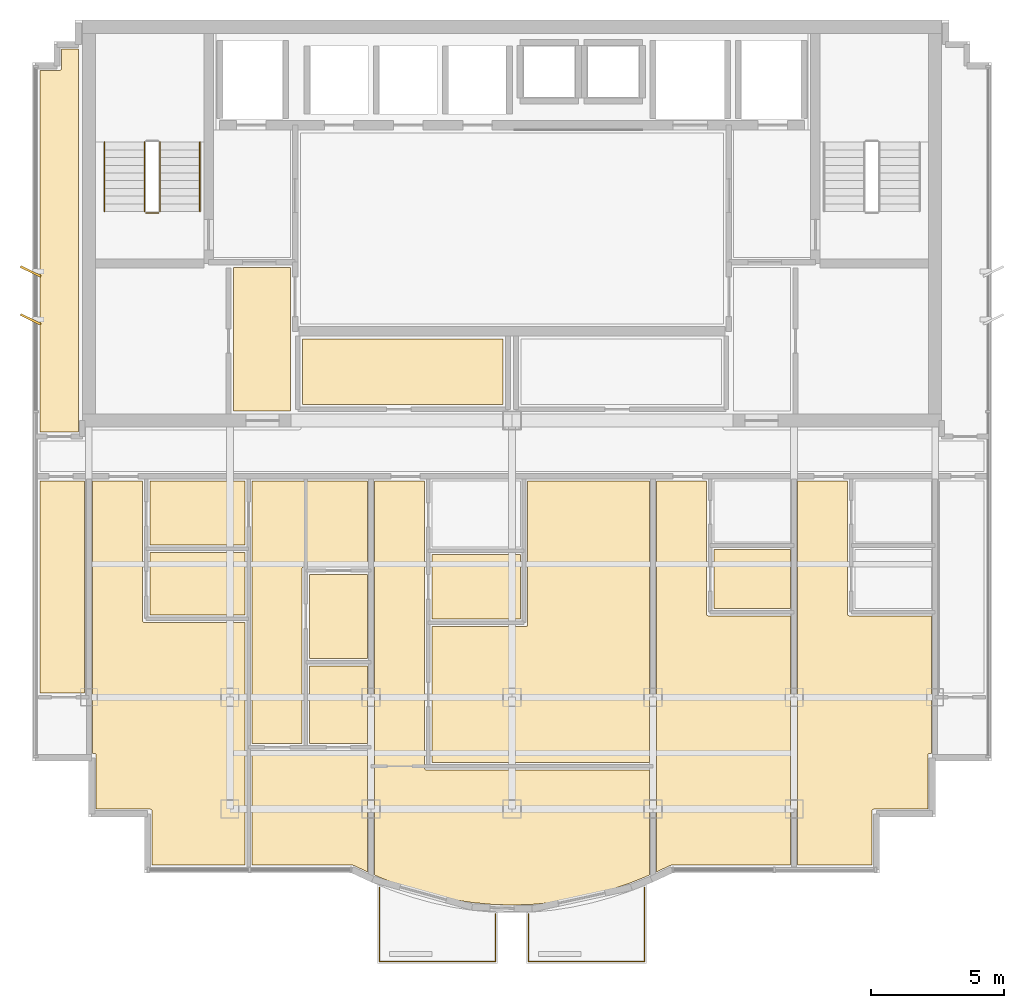
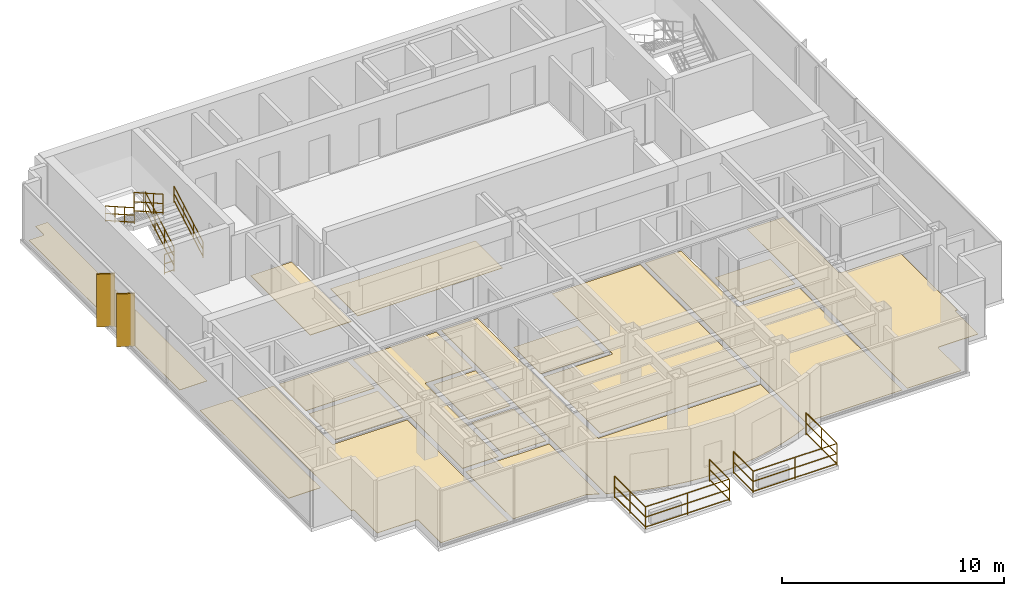
# One storey, part 9 of 10: 17 coverings, 7 railings, 2 shading devices.
"""IFC4 building model written with IfcOpenShell, lengths in metres."""

from ifc_helpers import new_model, si_unit, direction, frame, origin, origin_2d, place, context, subcontext, project, spatial, polyline, rectangle, circle, outline, extrude, source, transform, mapped, material, layer, layer_set, type_object, element, save


model = new_model("IFC4")

# Units and contexts
model_context = context("Model", 3, precision=1e-05, world=origin(), true_north=direction((0.0, 1.0)))
body_context = subcontext(model_context, "Body", "Model", "MODEL_VIEW")
ifc_project = project(units=[si_unit("LENGTHUNIT", "METRE"), si_unit("AREAUNIT", "SQUARE_METRE"), si_unit("VOLUMEUNIT", "CUBIC_METRE"), si_unit("PLANEANGLEUNIT", "RADIAN"), si_unit("MASSUNIT", "GRAM", prefix="KILO")], contexts=[model_context])

# Site, building, storey
site_placement = place(None, origin())
site = spatial("IfcSite", under=ifc_project, at=site_placement, CompositionType="ELEMENT")
building_placement = place(site_placement, origin())
building = spatial("IfcBuilding", under=site, at=building_placement, Name="Qianlan Lanfeng Residences", CompositionType="ELEMENT")
storey_placement = place(building_placement, frame((0.0, 0.0, 239.60009765625)))
storey = spatial("IfcBuildingStorey", under=building, at=storey_placement, Name="L66", CompositionType="ELEMENT", Elevation=239.60009765625)

# Coverings
ifc_material_1 = material(Name="Honed Taitung Granite Stone Flooring", Category="masonry")
ifc_layer_1 = layer(ifc_material_1, 0.030029296875)
ifc_layer_set_1 = layer_set([ifc_layer_1], Name="Honed Taitung Granite Stone Flooring")
covering_type_1 = type_object("IfcCoveringType", Name="FLR-STN-30", PredefinedType="FLOORING", material=ifc_layer_set_1)
covering_1_placement = place(storey_placement, origin())
element("IfcCovering", 1, at=covering_1_placement, inside=storey, type_object=covering_type_1, Name="L66 Lift Lobby Floor Finish", PredefinedType="FLOORING", context=body_context, shape_type="SweptSolid", body=[
    extrude(outline(polyline([(16.030029296875, 25.56005859375), (18.169921875, 25.56005859375), (18.169921875, 30.949951171875), (16.030029296875, 30.949951171875), (16.030029296875, 25.56005859375)])), origin(), (0.0, 0.0, 1.0), 0.02978515625),
])
ifc_material_2 = material(Name="Slip-Resistant Porcelain Tile Flooring")
ifc_layer_2 = layer(ifc_material_2, 0.02001953125)
ifc_layer_set_2 = layer_set([ifc_layer_2], Name="Slip-Resistant Porcelain Tile Flooring")
covering_type_2 = type_object("IfcCoveringType", Name="FLR-TIL-20", PredefinedType="FLOORING", material=ifc_layer_set_2)
covering_2_placement = place(storey_placement, origin())
element("IfcCovering", 2, at=covering_2_placement, inside=storey, type_object=covering_type_2, Name="L66 Kitchen Floor Finish", PredefinedType="FLOORING", context=body_context, shape_type="SweptSolid", body=[
    extrude(outline(polyline([(12.889892578125, 17.89306640625), (16.4599609375, 17.89306640625), (16.4599609375, 20.237060546875), (12.889892578125, 20.237060546875), (12.889892578125, 17.89306640625)])), origin(), (0.0, 0.0, 1.0), 0.02001953125),
])
covering_3_placement = place(storey_placement, origin())
element("IfcCovering", 3, at=covering_3_placement, inside=storey, type_object=covering_type_2, Name="L66 Bathroom Floor Finish", PredefinedType="FLOORING", context=body_context, shape_type="SweptSolid", body=[
    extrude(outline(polyline([(12.889892578125, 20.51708984375), (16.4599609375, 20.51708984375), (16.4599609375, 22.929931640625), (12.889892578125, 22.929931640625), (12.889892578125, 20.51708984375)])), origin(), (0.0, 0.0, 1.0), 0.02001953125),
])
covering_4_placement = place(storey_placement, origin())
element("IfcCovering", 4, at=covering_4_placement, inside=storey, type_object=covering_type_2, Name="L66 En-Suite Bathroom Floor Finish", PredefinedType="FLOORING", context=body_context, shape_type="SweptSolid", body=[
    extrude(outline(polyline([(18.889892578125, 13.06005859375), (21.070068359375, 13.06005859375), (21.070068359375, 15.97998046875), (18.889892578125, 15.97998046875), (18.889892578125, 13.06005859375)])), origin(), (0.0, 0.0, 1.0), 0.02001953125),
])
covering_5_placement = place(storey_placement, origin())
element("IfcCovering", 5, at=covering_5_placement, inside=storey, type_object=covering_type_2, Name="L66 Kitchen Floor Finish", PredefinedType="FLOORING", context=body_context, shape_type="SweptSolid", body=[
    extrude(outline(polyline([(23.489990234375, 17.739990234375), (26.81005859375, 17.739990234375), (26.81005859375, 20.159912109375), (23.489990234375, 20.159912109375), (23.489990234375, 17.739990234375)])), origin(), (0.0, 0.0, 1.0), 0.02001953125),
])
covering_6_placement = place(storey_placement, origin())
element("IfcCovering", 6, at=covering_6_placement, inside=storey, type_object=covering_type_2, Name="L66 Kitchen Floor Finish", PredefinedType="FLOORING", context=body_context, shape_type="SweptSolid", body=[
    extrude(outline(polyline([(34.090087890625, 18.139892578125), (36.9599609375, 18.139892578125), (36.9599609375, 20.360107421875), (34.090087890625, 20.360107421875), (34.090087890625, 18.139892578125)])), origin(), (0.0, 0.0, 1.0), 0.02001953125),
])
ifc_material_3 = material(Name="Engineered Smoked Oak Timber Flooring", Category="wood")
ifc_layer_3 = layer(ifc_material_3, 0.02197265625)
ifc_layer_set_3 = layer_set([ifc_layer_3], Name="Engineered Smoked Oak Timber Flooring")
covering_type_3 = type_object("IfcCoveringType", Name="FLR-TIM-22", PredefinedType="FLOORING", material=ifc_layer_set_3)
covering_7_placement = place(storey_placement, origin())
element("IfcCovering", 7, at=covering_7_placement, inside=storey, type_object=covering_type_3, Name="L66 Resident Reading Lounge Floor Finish", PredefinedType="FLOORING", context=body_context, shape_type="SweptSolid", body=[
    extrude(outline(polyline([(18.6298828125, 25.800048828125), (26.169921875, 25.800048828125), (26.169921875, 28.2548828125), (18.6298828125, 28.2548828125), (18.6298828125, 25.800048828125)])), origin(), (0.0, 0.0, 1.0), 0.02197265625),
])
covering_8_placement = place(storey_placement, origin())
element("IfcCovering", 8, at=covering_8_placement, inside=storey, type_object=covering_type_3, Name="L66 Living and Dining Room Floor Finish", PredefinedType="FLOORING", context=body_context, shape_type="SweptSolid", body=[
    extrude(outline(polyline([(16.469970703125, 8.489990234375), (16.469970703125, 17.613037109375), (12.679931640625, 17.613037109375), (12.673095703125, 17.613037109375), (12.666015625, 17.614013671875), (12.659912109375, 17.615966796875), (12.653076171875, 17.617919921875), (12.64697265625, 17.62109375), (12.64111328125, 17.625), (12.635986328125, 17.62890625), (12.631103515625, 17.634033203125), (12.6259765625, 17.638916015625), (12.6220703125, 17.64404296875), (12.617919921875, 17.64990234375), (12.614990234375, 17.656005859375), (12.613037109375, 17.6630859375), (12.611083984375, 17.6689453125), (12.610107421875, 17.676025390625), (12.610107421875, 17.68310546875), (12.610107421875, 22.929931640625), (10.72998046875, 22.929931640625), (10.72998046875, 12.68994140625), (10.800048828125, 12.68994140625), (10.806884765625, 12.68994140625), (10.81396484375, 12.68896484375), (10.820068359375, 12.68701171875), (10.826904296875, 12.68505859375), (10.8330078125, 12.681884765625), (10.839111328125, 12.677978515625), (10.843994140625, 12.674072265625), (10.84912109375, 12.6689453125), (10.85400390625, 12.6640625), (10.85791015625, 12.658935546875), (10.862060546875, 12.653076171875), (10.864990234375, 12.64697265625), (10.866943359375, 12.639892578125), (10.868896484375, 12.634033203125), (10.8701171875, 12.626953125), (10.8701171875, 12.6201171875), (10.8701171875, 10.590087890625), (12.89990234375, 10.590087890625), (12.906982421875, 10.590087890625), (12.9140625, 10.589111328125), (12.919921875, 10.5869140625), (12.927001953125, 10.5849609375), (12.93310546875, 10.58203125), (12.93896484375, 10.577880859375), (12.944091796875, 10.573974609375), (12.948974609375, 10.569091796875), (12.9541015625, 10.56396484375), (12.9580078125, 10.55908203125), (12.9619140625, 10.552978515625), (12.965087890625, 10.547119140625), (12.967041015625, 10.5400390625), (12.968994140625, 10.533935546875), (12.969970703125, 10.527099609375), (12.969970703125, 10.52001953125), (12.969970703125, 8.489990234375), (16.469970703125, 8.489990234375)])), origin(), (0.0, 0.0, 1.0), 0.02197265625),
])
covering_9_placement = place(storey_placement, origin())
element("IfcCovering", 9, at=covering_9_placement, inside=storey, type_object=covering_type_3, Name="L66 Private Study Floor Finish", PredefinedType="FLOORING", context=body_context, shape_type="SweptSolid", body=[
    extrude(outline(polyline([(18.889892578125, 16.260009765625), (21.070068359375, 16.260009765625), (21.070068359375, 19.419921875), (18.889892578125, 19.419921875), (18.889892578125, 16.260009765625)])), origin(), (0.0, 0.0, 1.0), 0.02197265625),
])
covering_10_placement = place(storey_placement, origin())
element("IfcCovering", 10, at=covering_10_placement, inside=storey, type_object=covering_type_3, Name="L66 Villa Family Sitting Room Floor Finish", PredefinedType="FLOORING", context=body_context, shape_type="SweptSolid", body=[
    extrude(outline(polyline([(16.72998046875, 13.06005859375), (18.610107421875, 13.06005859375), (18.610107421875, 19.6298828125), (18.610107421875, 19.636962890625), (18.611083984375, 19.64404296875), (18.613037109375, 19.64990234375), (18.614990234375, 19.656982421875), (18.617919921875, 19.6630859375), (18.6220703125, 19.6689453125), (18.6259765625, 19.674072265625), (18.631103515625, 19.678955078125), (18.635986328125, 19.68408203125), (18.64111328125, 19.68798828125), (18.64697265625, 19.69189453125), (18.653076171875, 19.695068359375), (18.659912109375, 19.697021484375), (18.666015625, 19.698974609375), (18.673095703125, 19.699951171875), (18.679931640625, 19.699951171875), (21.070068359375, 19.699951171875), (21.070068359375, 22.929931640625), (16.72998046875, 22.929931640625), (16.72998046875, 13.06005859375)])), origin(), (0.0, 0.0, 1.0), 0.02197265625),
])
covering_11_placement = place(storey_placement, origin())
element("IfcCovering", 11, at=covering_11_placement, inside=storey, type_object=covering_type_3, Name="L66 Master Bedroom Floor Finish", PredefinedType="FLOORING", context=body_context, shape_type="SweptSolid", body=[
    extrude(outline(polyline([(16.72998046875, 12.780029296875), (16.72998046875, 8.489990234375), (20.509033203125, 8.489990234375), (20.51611328125, 8.489990234375), (20.52392578125, 8.488037109375), (20.531005859375, 8.486083984375), (20.5380859375, 8.48291015625), (21.070068359375, 8.236083984375), (21.070068359375, 12.780029296875), (16.72998046875, 12.780029296875)])), origin(), (0.0, 0.0, 1.0), 0.02197265625),
])
covering_12_placement = place(storey_placement, origin())
element("IfcCovering", 12, at=covering_12_placement, inside=storey, type_object=covering_type_3, Name="L66 Studio Living Room Floor Finish", PredefinedType="FLOORING", context=body_context, shape_type="SweptSolid", body=[
    extrude(outline(polyline([(31.669921875, 8.114013671875), (31.669921875, 12.06298828125), (23.280029296875, 12.06298828125), (23.27294921875, 12.06298828125), (23.26611328125, 12.06396484375), (23.260009765625, 12.06591796875), (23.2529296875, 12.068115234375), (23.2470703125, 12.071044921875), (23.240966796875, 12.074951171875), (23.236083984375, 12.0791015625), (23.23095703125, 12.083984375), (23.22607421875, 12.089111328125), (23.221923828125, 12.093994140625), (23.218017578125, 12.10009765625), (23.215087890625, 12.10595703125), (23.212890625, 12.113037109375), (23.2109375, 12.118896484375), (23.2099609375, 12.1259765625), (23.2099609375, 12.133056640625), (23.2099609375, 22.929931640625), (21.330078125, 22.929931640625), (21.330078125, 8.114013671875), (21.3310546875, 8.114013671875), (22.071044921875, 7.81591796875), (22.81103515625, 7.56298828125), (23.550048828125, 7.35693359375), (24.2880859375, 7.196044921875), (25.02587890625, 7.08203125), (25.762939453125, 7.012939453125), (26.5, 6.989990234375), (27.237060546875, 7.012939453125), (27.97412109375, 7.08203125), (28.7119140625, 7.196044921875), (29.449951171875, 7.35693359375), (30.18896484375, 7.56298828125), (30.928955078125, 7.81591796875), (31.6689453125, 8.114013671875), (31.669921875, 8.114013671875)])), origin(), (0.0, 0.0, 1.0), 0.02197265625),
])
covering_13_placement = place(storey_placement, origin())
element("IfcCovering", 13, at=covering_13_placement, inside=storey, type_object=covering_type_3, Name="L66 Villa Family Sitting Room Floor Finish", PredefinedType="FLOORING", context=body_context, shape_type="SweptSolid", body=[
    extrude(outline(polyline([(23.489990234375, 12.343017578125), (31.669921875, 12.343017578125), (31.669921875, 22.929931640625), (27.090087890625, 22.929931640625), (27.090087890625, 17.530029296875), (27.090087890625, 17.52294921875), (27.089111328125, 17.51611328125), (27.0869140625, 17.510009765625), (27.0849609375, 17.5029296875), (27.08203125, 17.4970703125), (27.077880859375, 17.490966796875), (27.073974609375, 17.486083984375), (27.069091796875, 17.48095703125), (27.06396484375, 17.47607421875), (27.05908203125, 17.471923828125), (27.052978515625, 17.468017578125), (27.047119140625, 17.465087890625), (27.0400390625, 17.462890625), (27.033935546875, 17.4609375), (27.027099609375, 17.4599609375), (27.02001953125, 17.4599609375), (23.489990234375, 17.4599609375), (23.489990234375, 12.343017578125)])), origin(), (0.0, 0.0, 1.0), 0.02197265625),
])
covering_14_placement = place(storey_placement, origin())
element("IfcCovering", 14, at=covering_14_placement, inside=storey, type_object=covering_type_3, Name="L66 Studio Living Room Floor Finish", PredefinedType="FLOORING", context=body_context, shape_type="SweptSolid", body=[
    extrude(outline(polyline([(36.969970703125, 8.489990234375), (36.969970703125, 17.860107421875), (33.8798828125, 17.860107421875), (33.873046875, 17.860107421875), (33.865966796875, 17.861083984375), (33.860107421875, 17.863037109375), (33.85302734375, 17.864990234375), (33.846923828125, 17.867919921875), (33.841064453125, 17.8720703125), (33.8359375, 17.8759765625), (33.8310546875, 17.881103515625), (33.825927734375, 17.885986328125), (33.822021484375, 17.89111328125), (33.818115234375, 17.89697265625), (33.81494140625, 17.903076171875), (33.81298828125, 17.909912109375), (33.81103515625, 17.916015625), (33.81005859375, 17.923095703125), (33.81005859375, 17.929931640625), (33.81005859375, 22.929931640625), (31.929931640625, 22.929931640625), (31.929931640625, 8.236083984375), (32.4619140625, 8.48291015625), (32.468994140625, 8.486083984375), (32.47607421875, 8.488037109375), (32.48388671875, 8.489990234375), (32.490966796875, 8.489990234375), (36.969970703125, 8.489990234375)])), origin(), (0.0, 0.0, 1.0), 0.02197265625),
])
covering_15_placement = place(storey_placement, origin())
element("IfcCovering", 15, at=covering_15_placement, inside=storey, type_object=covering_type_3, Name="L66 Studio Living Room Floor Finish", PredefinedType="FLOORING", context=body_context, shape_type="SweptSolid", body=[
    extrude(outline(polyline([(42.27001953125, 12.68994140625), (42.27001953125, 17.860107421875), (39.179931640625, 17.860107421875), (39.173095703125, 17.860107421875), (39.166015625, 17.861083984375), (39.159912109375, 17.863037109375), (39.153076171875, 17.864990234375), (39.14697265625, 17.867919921875), (39.14111328125, 17.8720703125), (39.135986328125, 17.8759765625), (39.131103515625, 17.881103515625), (39.1259765625, 17.885986328125), (39.1220703125, 17.89111328125), (39.117919921875, 17.89697265625), (39.114990234375, 17.903076171875), (39.113037109375, 17.909912109375), (39.111083984375, 17.916015625), (39.110107421875, 17.923095703125), (39.110107421875, 17.929931640625), (39.110107421875, 22.929931640625), (37.22998046875, 22.929931640625), (37.22998046875, 8.489990234375), (40.030029296875, 8.489990234375), (40.030029296875, 10.52001953125), (40.030029296875, 10.527099609375), (40.031005859375, 10.533935546875), (40.032958984375, 10.5400390625), (40.034912109375, 10.547119140625), (40.0380859375, 10.552978515625), (40.0419921875, 10.55908203125), (40.0458984375, 10.56396484375), (40.051025390625, 10.569091796875), (40.055908203125, 10.573974609375), (40.06103515625, 10.577880859375), (40.06689453125, 10.58203125), (40.072998046875, 10.5849609375), (40.080078125, 10.5869140625), (40.0859375, 10.589111328125), (40.093017578125, 10.590087890625), (40.10009765625, 10.590087890625), (42.1298828125, 10.590087890625), (42.1298828125, 12.6201171875), (42.1298828125, 12.626953125), (42.131103515625, 12.634033203125), (42.133056640625, 12.639892578125), (42.135009765625, 12.64697265625), (42.137939453125, 12.653076171875), (42.14208984375, 12.658935546875), (42.14599609375, 12.6640625), (42.15087890625, 12.6689453125), (42.156005859375, 12.674072265625), (42.160888671875, 12.677978515625), (42.1669921875, 12.681884765625), (42.173095703125, 12.68505859375), (42.179931640625, 12.68701171875), (42.18603515625, 12.68896484375), (42.193115234375, 12.68994140625), (42.199951171875, 12.68994140625), (42.27001953125, 12.68994140625)])), origin(), (0.0, 0.0, 1.0), 0.02197265625),
])
covering_16_placement = place(storey_placement, origin())
element("IfcCovering", 16, at=covering_16_placement, inside=storey, type_object=covering_type_3, Name="L66 Family Sitting Room Floor Finish", PredefinedType="FLOORING", context=body_context, shape_type="SweptSolid", body=[
    extrude(outline(polyline([(10.43994140625, 22.929931640625), (8.77001953125, 22.929931640625), (8.77001953125, 14.949951171875), (10.43994140625, 14.949951171875), (10.43994140625, 22.929931640625)])), origin(), (0.0, 0.0, 1.0), 0.02197265625),
])
covering_17_placement = place(storey_placement, origin())
element("IfcCovering", 17, at=covering_17_placement, inside=storey, type_object=covering_type_3, Name="L66 Conservatory Salon Floor Finish", PredefinedType="FLOORING", context=body_context, shape_type="SweptSolid", body=[
    extrude(outline(polyline([(10.199951171875, 24.77001953125), (10.199951171875, 39.159912109375), (9.570068359375, 39.159912109375), (9.570068359375, 38.429931640625), (9.570068359375, 38.423095703125), (9.569091796875, 38.416015625), (9.56689453125, 38.409912109375), (9.56494140625, 38.403076171875), (9.56201171875, 38.39697265625), (9.55810546875, 38.39111328125), (9.553955078125, 38.385986328125), (9.549072265625, 38.381103515625), (9.5439453125, 38.3759765625), (9.5390625, 38.3720703125), (9.532958984375, 38.367919921875), (9.527099609375, 38.364990234375), (9.52001953125, 38.363037109375), (9.513916015625, 38.361083984375), (9.507080078125, 38.360107421875), (9.5, 38.360107421875), (8.77001953125, 38.360107421875), (8.77001953125, 24.77001953125), (10.199951171875, 24.77001953125)])), origin(), (0.0, 0.0, 1.0), 0.02197265625),
])

# Railings
ifc_material_4 = material(Name="Anodised Bronze Aluminium and Laminated Glass Guard Balustrade", Category="aluminium")
railing_type_1 = type_object("IfcRailingType", Name="GR-EXT-1220", PredefinedType="BALUSTRADE", material=ifc_material_4)
railing_1_placement = place(storey_placement, frame((25.8798828125, 6.64892578125, 0.0)))
element("IfcRailing", 18, at=railing_1_placement, inside=storey, type_object=railing_type_1, Name="L66 Terrace Safety Guard GR-L66-SB-W", PredefinedType="BALUSTRADE", context=body_context, shape_type="SweptSolid", body=[
    extrude(circle(Radius=0.02490234375, at=origin_2d()), frame((0.0, 0.0, 0.0849609375), z_axis=(0.0, -1.0, 0.0), x_axis=(1.0, 0.0, 0.0)), (0.0, 0.0, 1.0), 1.77880859375),
    extrude(circle(Radius=0.02490234375, at=origin_2d()), frame((0.0, 0.0, 0.63427734375), z_axis=(0.0, -1.0, 0.0), x_axis=(1.0, 0.0, 0.0)), (0.0, 0.0, 1.0), 1.77880859375),
    extrude(circle(Radius=0.02490234375, at=origin_2d()), frame((0.0, 0.0, 1.19482421875), z_axis=(0.0, -1.0, 0.0), x_axis=(1.0, 0.0, 0.0)), (0.0, 0.0, 1.0), 1.77880859375),
    extrude(circle(Radius=0.02490234375, at=origin_2d()), frame((0.0, -1.77880859375, 0.0849609375), z_axis=(-1.0, 0.0, 0.0), x_axis=(0.0, -1.0, 0.0)), (0.0, 0.0, 1.0), 4.35986328125),
    extrude(circle(Radius=0.02490234375, at=origin_2d()), frame((0.0, -1.77880859375, 0.63427734375), z_axis=(-1.0, 0.0, 0.0), x_axis=(0.0, -1.0, 0.0)), (0.0, 0.0, 1.0), 4.35986328125),
    extrude(circle(Radius=0.02490234375, at=origin_2d()), frame((0.0, -1.77880859375, 1.19482421875), z_axis=(-1.0, 0.0, 0.0), x_axis=(0.0, -1.0, 0.0)), (0.0, 0.0, 1.0), 4.35986328125),
    extrude(circle(Radius=0.02490234375, at=origin_2d()), frame((-4.35986328125, -1.77880859375, 0.0849609375), z_axis=(0.0, 1.0, 0.0), x_axis=(-1.0, 0.0, 0.0)), (0.0, 0.0, 1.0), 2.77880859375),
    extrude(circle(Radius=0.02490234375, at=origin_2d()), frame((-4.35986328125, -1.77880859375, 0.63427734375), z_axis=(0.0, 1.0, 0.0), x_axis=(-1.0, 0.0, 0.0)), (0.0, 0.0, 1.0), 2.77880859375),
    extrude(circle(Radius=0.02490234375, at=origin_2d()), frame((-4.35986328125, -1.77880859375, 1.19482421875), z_axis=(0.0, 1.0, 0.0), x_axis=(-1.0, 0.0, 0.0)), (0.0, 0.0, 1.0), 2.77880859375),
    extrude(circle(Radius=0.02099609375, at=origin_2d()), origin(), (0.0, 0.0, 1.0), 1.169921875),
    extrude(circle(Radius=0.02099609375, at=origin_2d()), frame((0.0, -1.77880859375, 0.0)), (0.0, 0.0, 1.0), 1.169921875),
    extrude(circle(Radius=0.02099609375, at=origin_2d()), frame((-2.179931640625, -1.77880859375, 0.0)), (0.0, 0.0, 1.0), 1.169921875),
    extrude(circle(Radius=0.02099609375, at=origin_2d()), frame((-4.35986328125, -1.77880859375, 0.0)), (0.0, 0.0, 1.0), 1.169921875),
    extrude(circle(Radius=0.02099609375, at=origin_2d()), frame((-4.35986328125, -0.389404296875, 0.0)), (0.0, 0.0, 1.0), 1.169921875),
    extrude(circle(Radius=0.02099609375, at=origin_2d()), frame((-4.35986328125, 1.0, 0.0)), (0.0, 0.0, 1.0), 1.169921875),
])
railing_2_placement = place(storey_placement, frame((31.47998046875, 7.64892578125, 0.0)))
element("IfcRailing", 19, at=railing_2_placement, inside=storey, type_object=railing_type_1, Name="L66 Terrace Safety Guard GR-L66-SB-E", PredefinedType="BALUSTRADE", context=body_context, shape_type="SweptSolid", body=[
    extrude(circle(Radius=0.02490234375, at=origin_2d()), frame((0.0, 0.0, 0.0849609375), z_axis=(0.0, -1.0, 0.0), x_axis=(1.0, 0.0, 0.0)), (0.0, 0.0, 1.0), 2.77880859375),
    extrude(circle(Radius=0.02490234375, at=origin_2d()), frame((0.0, 0.0, 0.63427734375), z_axis=(0.0, -1.0, 0.0), x_axis=(1.0, 0.0, 0.0)), (0.0, 0.0, 1.0), 2.77880859375),
    extrude(circle(Radius=0.02490234375, at=origin_2d()), frame((0.0, 0.0, 1.19482421875), z_axis=(0.0, -1.0, 0.0), x_axis=(1.0, 0.0, 0.0)), (0.0, 0.0, 1.0), 2.77880859375),
    extrude(circle(Radius=0.02490234375, at=origin_2d()), frame((0.0, -2.77880859375, 0.0849609375), z_axis=(-1.0, 0.0, 0.0), x_axis=(0.0, -1.0, 0.0)), (0.0, 0.0, 1.0), 4.35986328125),
    extrude(circle(Radius=0.02490234375, at=origin_2d()), frame((0.0, -2.77880859375, 0.63427734375), z_axis=(-1.0, 0.0, 0.0), x_axis=(0.0, -1.0, 0.0)), (0.0, 0.0, 1.0), 4.35986328125),
    extrude(circle(Radius=0.02490234375, at=origin_2d()), frame((0.0, -2.77880859375, 1.19482421875), z_axis=(-1.0, 0.0, 0.0), x_axis=(0.0, -1.0, 0.0)), (0.0, 0.0, 1.0), 4.35986328125),
    extrude(circle(Radius=0.02490234375, at=origin_2d()), frame((-4.35986328125, -2.77880859375, 0.0849609375), z_axis=(0.0, 1.0, 0.0), x_axis=(-1.0, 0.0, 0.0)), (0.0, 0.0, 1.0), 1.77880859375),
    extrude(circle(Radius=0.02490234375, at=origin_2d()), frame((-4.35986328125, -2.77880859375, 0.63427734375), z_axis=(0.0, 1.0, 0.0), x_axis=(-1.0, 0.0, 0.0)), (0.0, 0.0, 1.0), 1.77880859375),
    extrude(circle(Radius=0.02490234375, at=origin_2d()), frame((-4.35986328125, -2.77880859375, 1.19482421875), z_axis=(0.0, 1.0, 0.0), x_axis=(-1.0, 0.0, 0.0)), (0.0, 0.0, 1.0), 1.77880859375),
    extrude(circle(Radius=0.02099609375, at=origin_2d()), origin(), (0.0, 0.0, 1.0), 1.169921875),
    extrude(circle(Radius=0.02099609375, at=origin_2d()), frame((0.0, -1.389404296875, 0.0)), (0.0, 0.0, 1.0), 1.169921875),
    extrude(circle(Radius=0.02099609375, at=origin_2d()), frame((0.0, -2.77880859375, 0.0)), (0.0, 0.0, 1.0), 1.169921875),
    extrude(circle(Radius=0.02099609375, at=origin_2d()), frame((-2.179931640625, -2.77880859375, 0.0)), (0.0, 0.0, 1.0), 1.169921875),
    extrude(circle(Radius=0.02099609375, at=origin_2d()), frame((-4.35986328125, -2.77880859375, 0.0)), (0.0, 0.0, 1.0), 1.169921875),
    extrude(circle(Radius=0.02099609375, at=origin_2d()), frame((-4.35986328125, -1.0, 0.0)), (0.0, 0.0, 1.0), 1.169921875),
])
ifc_material_5 = material(Name="Painted Galvanised Steel Guardrail", Category="steel")
railing_type_2 = type_object("IfcRailingType", Name="GR-ST-1120", PredefinedType="GUARDRAIL", material=ifc_material_5)
railing_3_placement = place(storey_placement, frame((13.27001953125, 33.050048828125, 0.164794921875)))
element("IfcRailing", 20, at=railing_3_placement, inside=storey, type_object=railing_type_2, Name="L66 ST-1 stair guard 1", PredefinedType="GUARDRAIL", context=body_context, shape_type="SweptSolid", body=[
    extrude(circle(Radius=0.02392578125, at=origin_2d()), frame((0.0, 0.0, 0.083984375), z_axis=(0.0, 0.869137319866, 0.494570843475), x_axis=(-1.0, 0.0, 0.0)), (0.0, 0.0, 1.0), 3.0029296875),
    extrude(circle(Radius=0.02392578125, at=origin_2d()), frame((0.0, 0.0, 0.58251953125), z_axis=(0.0, 0.869137319866, 0.494570843475), x_axis=(-1.0, 0.0, 0.0)), (0.0, 0.0, 1.0), 3.0029296875),
    extrude(circle(Radius=0.02392578125, at=origin_2d()), frame((0.0, 0.0, 1.09619140625), z_axis=(0.0, 0.869137319866, 0.494570843475), x_axis=(-1.0, 0.0, 0.0)), (0.0, 0.0, 1.0), 3.0029296875),
    extrude(circle(Radius=0.02099609375, at=origin_2d()), origin(), (0.0, 0.0, 1.0), 1.072021484375),
    extrude(circle(Radius=0.02099609375, at=origin_2d()), frame((0.0, 0.869873046875, 0.4951171875)), (0.0, 0.0, 1.0), 1.072021484375),
    extrude(circle(Radius=0.02099609375, at=origin_2d()), frame((0.0, 1.739990234375, 0.989990234375)), (0.0, 0.0, 1.0), 1.072021484375),
    extrude(circle(Radius=0.02099609375, at=origin_2d()), frame((0.0, 2.60986328125, 1.485107421875)), (0.0, 0.0, 1.0), 1.072021484375),
])
railing_4_placement = place(storey_placement, frame((12.68994140625, 35.659912109375, 1.81494140625)))
element("IfcRailing", 21, at=railing_4_placement, inside=storey, type_object=railing_type_2, Name="L66 ST-1 stair guard 3", PredefinedType="GUARDRAIL", context=body_context, shape_type="SweptSolid", body=[
    extrude(circle(Radius=0.02392578125, at=origin_2d()), frame((0.0, 0.0, 0.083984375), z_axis=(0.0, -0.869172267526, 0.494509422927), x_axis=(1.0, 0.0, 0.0)), (0.0, 0.0, 1.0), 3.002685546875),
    extrude(circle(Radius=0.02392578125, at=origin_2d()), frame((0.0, 0.0, 0.58251953125), z_axis=(0.0, -0.869172267526, 0.494509422927), x_axis=(1.0, 0.0, 0.0)), (0.0, 0.0, 1.0), 3.002685546875),
    extrude(circle(Radius=0.02392578125, at=origin_2d()), frame((0.0, 0.0, 1.09619140625), z_axis=(0.0, -0.869172267526, 0.494509422927), x_axis=(1.0, 0.0, 0.0)), (0.0, 0.0, 1.0), 3.002685546875),
    extrude(circle(Radius=0.02099609375, at=origin_2d()), origin(), (0.0, 0.0, 1.0), 1.072021484375),
    extrude(circle(Radius=0.02099609375, at=origin_2d()), frame((0.0, -0.869873046875, 0.494873046875)), (0.0, 0.0, 1.0), 1.072021484375),
    extrude(circle(Radius=0.02099609375, at=origin_2d()), frame((0.0, -1.739990234375, 0.989990234375)), (0.0, 0.0, 1.0), 1.072021484375),
    extrude(circle(Radius=0.02099609375, at=origin_2d()), frame((0.0, -2.60986328125, 1.48486328125)), (0.0, 0.0, 1.0), 1.072021484375),
])
railing_5_placement = place(storey_placement, frame((13.219970703125, 33.0, 0.0)))
element("IfcRailing", 22, at=railing_5_placement, inside=storey, type_object=railing_type_2, Name="L66 ST-1 stair guard 4", PredefinedType="GUARDRAIL", context=body_context, shape_type="SweptSolid", body=[
    extrude(circle(Radius=0.02392578125, at=origin_2d()), frame((0.0, 0.0, 0.083984375), z_axis=(-1.0, 0.0, 0.0), x_axis=(0.0, -1.0, 0.0)), (0.0, 0.0, 1.0), 0.47998046875),
    extrude(circle(Radius=0.02392578125, at=origin_2d()), frame((0.0, 0.0, 0.58251953125), z_axis=(-1.0, 0.0, 0.0), x_axis=(0.0, -1.0, 0.0)), (0.0, 0.0, 1.0), 0.47998046875),
    extrude(circle(Radius=0.02392578125, at=origin_2d()), frame((0.0, 0.0, 1.09619140625), z_axis=(-1.0, 0.0, 0.0), x_axis=(0.0, -1.0, 0.0)), (0.0, 0.0, 1.0), 0.47998046875),
    extrude(circle(Radius=0.02099609375, at=origin_2d()), origin(), (0.0, 0.0, 1.0), 1.072021484375),
    extrude(circle(Radius=0.02099609375, at=origin_2d()), frame((-0.47998046875, 0.0, 0.0)), (0.0, 0.0, 1.0), 1.072021484375),
])
ifc_material_6 = material(Name="Brushed Stainless Steel Handrail", Category="steel")
railing_type_3 = type_object("IfcRailingType", Name="HR-ST-920", PredefinedType="HANDRAIL", material=ifc_material_6)
railing_6_placement = place(storey_placement, frame((14.77001953125, 33.050048828125, 0.164794921875)))
element("IfcRailing", 23, at=railing_6_placement, inside=storey, type_object=railing_type_3, Name="L66 ST-1 stair handrail 1", PredefinedType="HANDRAIL", context=body_context, shape_type="SweptSolid", body=[
    extrude(circle(Radius=0.02392578125, at=origin_2d()), frame((0.0, 0.0, 0.083984375), z_axis=(0.0, 0.869137319866, 0.494570843475), x_axis=(-1.0, 0.0, 0.0)), (0.0, 0.0, 1.0), 3.0029296875),
    extrude(circle(Radius=0.02392578125, at=origin_2d()), frame((0.0, 0.0, 0.468017578125), z_axis=(0.0, 0.869137319866, 0.494570843475), x_axis=(-1.0, 0.0, 0.0)), (0.0, 0.0, 1.0), 3.0029296875),
    extrude(circle(Radius=0.02392578125, at=origin_2d()), frame((0.0, 0.0, 0.8759765625), z_axis=(0.0, 0.869137319866, 0.494570843475), x_axis=(-1.0, 0.0, 0.0)), (0.0, 0.0, 1.0), 3.0029296875),
    extrude(circle(Radius=0.02099609375, at=origin_2d()), origin(), (0.0, 0.0, 1.0), 0.851806640625),
    extrude(circle(Radius=0.02099609375, at=origin_2d()), frame((0.0, 0.869873046875, 0.4951171875)), (0.0, 0.0, 1.0), 0.851806640625),
    extrude(circle(Radius=0.02099609375, at=origin_2d()), frame((0.0, 1.739990234375, 0.989990234375)), (0.0, 0.0, 1.0), 0.851806640625),
    extrude(circle(Radius=0.02099609375, at=origin_2d()), frame((0.0, 2.60986328125, 1.485107421875)), (0.0, 0.0, 1.0), 0.851806640625),
])
railing_7_placement = place(storey_placement, frame((11.18994140625, 35.659912109375, 1.81494140625)))
element("IfcRailing", 24, at=railing_7_placement, inside=storey, type_object=railing_type_3, Name="L66 ST-1 stair handrail 2", PredefinedType="HANDRAIL", context=body_context, shape_type="SweptSolid", body=[
    extrude(circle(Radius=0.02392578125, at=origin_2d()), frame((0.0, 0.0, 0.083984375), z_axis=(0.0, -0.869172267526, 0.494509422927), x_axis=(1.0, 0.0, 0.0)), (0.0, 0.0, 1.0), 3.002685546875),
    extrude(circle(Radius=0.02392578125, at=origin_2d()), frame((0.0, 0.0, 0.468017578125), z_axis=(0.0, -0.869172267526, 0.494509422927), x_axis=(1.0, 0.0, 0.0)), (0.0, 0.0, 1.0), 3.002685546875),
    extrude(circle(Radius=0.02392578125, at=origin_2d()), frame((0.0, 0.0, 0.8759765625), z_axis=(0.0, -0.869172267526, 0.494509422927), x_axis=(1.0, 0.0, 0.0)), (0.0, 0.0, 1.0), 3.002685546875),
    extrude(circle(Radius=0.02099609375, at=origin_2d()), origin(), (0.0, 0.0, 1.0), 0.851806640625),
    extrude(circle(Radius=0.02099609375, at=origin_2d()), frame((0.0, -0.869873046875, 0.494873046875)), (0.0, 0.0, 1.0), 0.851806640625),
    extrude(circle(Radius=0.02099609375, at=origin_2d()), frame((0.0, -1.739990234375, 0.989990234375)), (0.0, 0.0, 1.0), 0.851806640625),
    extrude(circle(Radius=0.02099609375, at=origin_2d()), frame((0.0, -2.60986328125, 1.48486328125)), (0.0, 0.0, 1.0), 0.851806640625),
])

# Shading devices
ifc_material_7 = material(Name="Anodised Bronze Aluminium Solar Fin", Category="aluminium")
shading_device_type = type_object("IfcShadingDeviceType", Name="FIN-BRZ-850", PredefinedType="SHUTTER", material=ifc_material_7)
shared_shape = source(origin(), body_context, "Body", "SweptSolid", [
    extrude(rectangle(XDim=0.85009765625, YDim=0.080078125, at=origin_2d()), origin(), (0.0, 0.0, 1.0), 2.89990234375),
])
for number, where, z_axis, x_axis, name in (
    (25, (8.409912109375, 29.0, 0.0), (0.0, 0.0, 1.0), (0.898794046299, -0.438371146789, 0.0), "L66 Raked Bronze Solar Fin W1"),
    (26, (8.409912109375, 30.800048828125, 0.0), (0.0, 0.0, 1.0), (0.898794046299, -0.438371146789, 0.0), "L66 Raked Bronze Solar Fin W2"),
):
    element("IfcShadingDevice", number, at=place(storey_placement, frame(where, z_axis=z_axis, x_axis=x_axis)), inside=storey, type_object=shading_device_type, Name=name, PredefinedType="SHUTTER", context=body_context, shape_type="MappedRepresentation", body=[
        mapped(shared_shape, transform((0.0, 0.0, 0.0), scale=1.0)),
    ])

save(model, "model.ifc")
